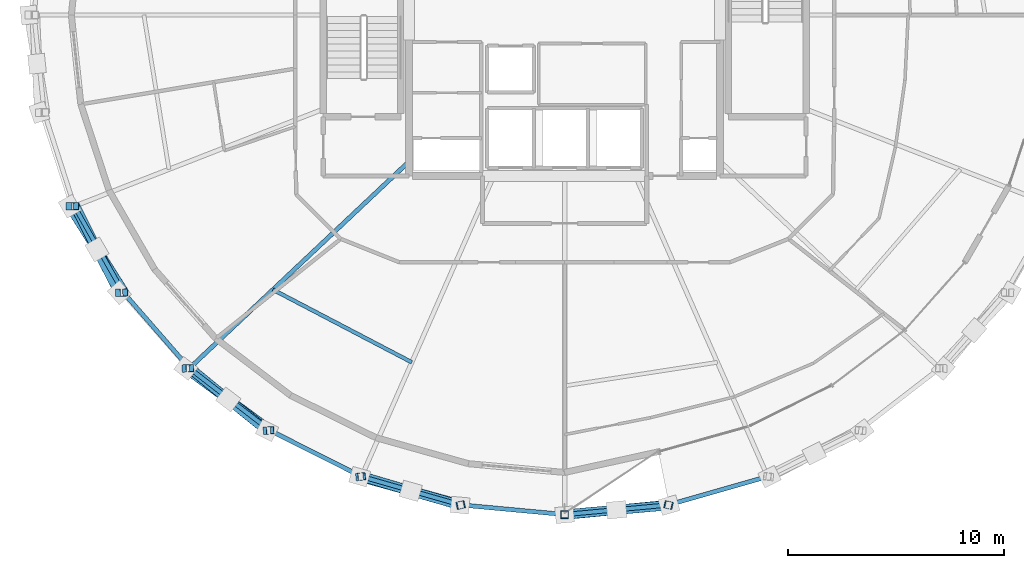
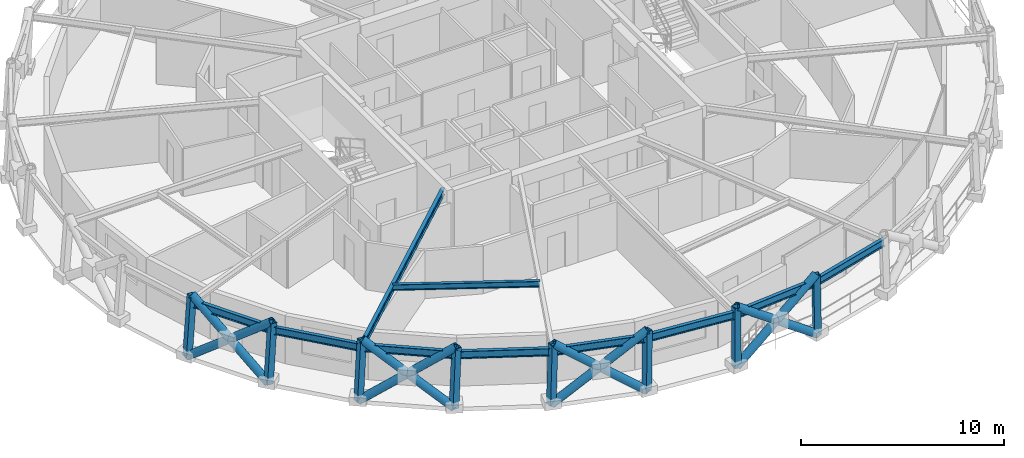
# One storey, part 1 of 17: 20 members, 10 beams.
"""IFC4 building model written with IfcOpenShell, lengths in metres."""

from ifc_helpers import new_model, si_unit, direction, frame, origin, origin_2d, place, context, subcontext, project, spatial, hollow_rectangle, hollow_circle, i_section, extrude, material, material_profile, profile_set, type_object, element, save


model = new_model("IFC4")

# Units and contexts
model_context = context("Model", 3, precision=1e-05, world=origin(), true_north=direction((0.0, 1.0)))
body_context = subcontext(model_context, "Body", "Model", "MODEL_VIEW")
ifc_project = project(units=[si_unit("LENGTHUNIT", "METRE"), si_unit("AREAUNIT", "SQUARE_METRE"), si_unit("VOLUMEUNIT", "CUBIC_METRE"), si_unit("PLANEANGLEUNIT", "RADIAN"), si_unit("MASSUNIT", "GRAM", prefix="KILO")], contexts=[model_context])

# Site, building, storey
site_placement = place(None, origin())
site = spatial("IfcSite", under=ifc_project, at=site_placement, CompositionType="ELEMENT")
building_placement = place(site_placement, origin())
building = spatial("IfcBuilding", under=site, at=building_placement, Name="Veldorina Hangang Commons", CompositionType="ELEMENT")
storey_placement = place(building_placement, frame((0.0, 0.0, 225.60009765625)))
storey = spatial("IfcBuildingStorey", under=building, at=storey_placement, Name="L58", CompositionType="ELEMENT", Elevation=225.60009765625)

# Beams
ifc_material = material(Name="Steel SM355-TMC", Category="steel")
ifc_material_profile_1 = material_profile(ifc_material, i_section(OverallWidth=0.199951171875, OverallDepth=0.39990234375, WebThickness=0.008056640625, FlangeThickness=0.012939453125, FilletRadius=0.012939453125, at=origin_2d()), Name="H-400x200x8x13")
ifc_profile_set_1 = profile_set([ifc_material_profile_1], Name="Steel SM355-TMC")
beam_type_1 = type_object("IfcBeamType", Name="BM-FG400", PredefinedType="BEAM", material=ifc_profile_set_1)
beam_1_placement = place(storey_placement, frame((24.800048828125, 17.220947265625, 3.159912109375), z_axis=(-0.728077889465, -0.685494410533, 0.0), x_axis=(0.685494410533, -0.728077889465, 0.0)))
element("IfcBeam", 1, at=beam_1_placement, inside=storey, type_object=beam_type_1, Name="L58 radial floor girder 11", PredefinedType="BEAM", context=body_context, shape_type="SweptSolid", body=[
    extrude(i_section(OverallWidth=0.199951171875, OverallDepth=0.39990234375, WebThickness=0.008056640625, FlangeThickness=0.012939453125, FilletRadius=0.012939453125, at=origin_2d()), origin(), (0.0, 0.0, 1.0), 13.971923828125),
])
ifc_material_profile_2 = material_profile(ifc_material, i_section(OverallWidth=0.175048828125, OverallDepth=0.35009765625, WebThickness=0.007080078125, FlangeThickness=0.010986328125, FilletRadius=0.012939453125, at=origin_2d()), Name="H-350x175x7x11")
ifc_profile_set_2 = profile_set([ifc_material_profile_2], Name="Steel SM355-TMC")
beam_type_2 = type_object("IfcBeamType", Name="BM-JST350", PredefinedType="JOIST", material=ifc_profile_set_2)
beam_2_placement = place(storey_placement, frame((18.4931640625, 11.28271484375, 3.184814453125), z_axis=(0.886139438515, -0.463418704314, 0.0), x_axis=(0.463418704314, 0.886139438515, 0.0)))
element("IfcBeam", 2, at=beam_2_placement, inside=storey, type_object=beam_type_2, Name="L58 secondary floor joist 11", PredefinedType="JOIST", context=body_context, shape_type="SweptSolid", body=[
    extrude(i_section(OverallWidth=0.175048828125, OverallDepth=0.35009765625, WebThickness=0.007080078125, FlangeThickness=0.010986328125, FilletRadius=0.012939453125, at=origin_2d()), origin(), (0.0, 0.0, 1.0), 7.258544921875),
])
ifc_material_profile_3 = material_profile(ifc_material, i_section(OverallWidth=0.199951171875, OverallDepth=0.449951171875, WebThickness=0.009033203125, FlangeThickness=0.013916015625, FilletRadius=0.01611328125, at=origin_2d()), Name="H-450x200x9x14")
ifc_profile_set_3 = profile_set([ifc_material_profile_3], Name="Steel SM355-TMC")
beam_type_3 = type_object("IfcBeamType", Name="BM-RB450", PredefinedType="BEAM", material=ifc_profile_set_3)
beam_3_placement = place(storey_placement, frame((9.3017578125, 15.147705078125, 3.135009765625), z_axis=(0.493695595954, -0.869634784571, 0.0), x_axis=(0.869634784571, 0.493695595954, 0.0)))
element("IfcBeam", 3, at=beam_3_placement, inside=storey, type_object=beam_type_3, Name="L58 perimeter hoop ring beam 18", PredefinedType="BEAM", context=body_context, shape_type="SweptSolid", body=[
    extrude(i_section(OverallWidth=0.199951171875, OverallDepth=0.449951171875, WebThickness=0.009033203125, FlangeThickness=0.013916015625, FilletRadius=0.01611328125, at=origin_2d()), origin(), (0.0, 0.0, 1.0), 4.598388671875),
])
beam_4_placement = place(storey_placement, frame((11.572021484375, 11.148681640625, 3.135009765625), z_axis=(0.657068652879, -0.753830740554, 0.0), x_axis=(0.753830740554, 0.657068652879, 0.0)))
element("IfcBeam", 4, at=beam_4_placement, inside=storey, type_object=beam_type_3, Name="L58 perimeter hoop ring beam 19", PredefinedType="BEAM", context=body_context, shape_type="SweptSolid", body=[
    extrude(i_section(OverallWidth=0.199951171875, OverallDepth=0.449951171875, WebThickness=0.009033203125, FlangeThickness=0.013916015625, FilletRadius=0.01611328125, at=origin_2d()), origin(), (0.0, 0.0, 1.0), 4.650146484375),
])
beam_5_placement = place(storey_placement, frame((14.62744140625, 7.643310546875, 3.135009765625), z_axis=(0.791312388502, -0.611412057293, 0.0), x_axis=(0.611412057293, 0.791312388502, 0.0)))
element("IfcBeam", 5, at=beam_5_placement, inside=storey, type_object=beam_type_3, Name="L58 perimeter hoop ring beam 20", PredefinedType="BEAM", context=body_context, shape_type="SweptSolid", body=[
    extrude(i_section(OverallWidth=0.199951171875, OverallDepth=0.449951171875, WebThickness=0.009033203125, FlangeThickness=0.013916015625, FilletRadius=0.01611328125, at=origin_2d()), origin(), (0.0, 0.0, 1.0), 4.705078125),
])
beam_6_placement = place(storey_placement, frame((18.3505859375, 4.7666015625, 3.135009765625), z_axis=(0.893243145292, -0.449573890911, 0.0), x_axis=(0.449573890911, 0.893243145292, 0.0)))
element("IfcBeam", 6, at=beam_6_placement, inside=storey, type_object=beam_type_3, Name="L58 perimeter hoop ring beam 21", PredefinedType="BEAM", context=body_context, shape_type="SweptSolid", body=[
    extrude(i_section(OverallWidth=0.199951171875, OverallDepth=0.449951171875, WebThickness=0.009033203125, FlangeThickness=0.013916015625, FilletRadius=0.01611328125, at=origin_2d()), origin(), (0.0, 0.0, 1.0), 4.7548828125),
])
beam_7_placement = place(storey_placement, frame((22.597900390625, 2.62890625, 3.135009765625), z_axis=(0.961550850658, -0.274626949878, 0.0), x_axis=(0.274626949878, 0.961550850658, 0.0)))
element("IfcBeam", 7, at=beam_7_placement, inside=storey, type_object=beam_type_3, Name="L58 perimeter hoop ring beam 22", PredefinedType="BEAM", context=body_context, shape_type="SweptSolid", body=[
    extrude(i_section(OverallWidth=0.199951171875, OverallDepth=0.449951171875, WebThickness=0.009033203125, FlangeThickness=0.013916015625, FilletRadius=0.01611328125, at=origin_2d()), origin(), (0.0, 0.0, 1.0), 4.79345703125),
])
for number, where, z_axis, x_axis, name in (
    (8, (27.20703125, 1.3125, 3.135009765625), (0.995730320333, -0.09230996246, 0.0), (0.09230996246, 0.995730320333, 0.0), "L58 perimeter hoop ring beam 23"),
    (9, (32.0, 0.8681640625, 3.135009765625), (0.995730320333, 0.09230996246, 0.0), (-0.09230996246, 0.995730320333, 0.0), "L58 perimeter hoop ring beam 24"),
):
    element("IfcBeam", number, at=place(storey_placement, frame(where, z_axis=z_axis, x_axis=x_axis)), inside=storey, type_object=beam_type_3, Name=name, PredefinedType="BEAM", context=body_context, shape_type="SweptSolid", body=[
        extrude(i_section(OverallWidth=0.199951171875, OverallDepth=0.449951171875, WebThickness=0.009033203125, FlangeThickness=0.013916015625, FilletRadius=0.01611328125, at=origin_2d()), origin(), (0.0, 0.0, 1.0), 4.8134765625),
    ])
beam_8_placement = place(storey_placement, frame((36.79296875, 1.3125, 3.135009765625), z_axis=(0.961550850658, 0.274626949878, 0.0), x_axis=(-0.274626949878, 0.961550850658, 0.0)))
element("IfcBeam", 10, at=beam_8_placement, inside=storey, type_object=beam_type_3, Name="L58 perimeter hoop ring beam 25", PredefinedType="BEAM", context=body_context, shape_type="SweptSolid", body=[
    extrude(i_section(OverallWidth=0.199951171875, OverallDepth=0.449951171875, WebThickness=0.009033203125, FlangeThickness=0.013916015625, FilletRadius=0.01611328125, at=origin_2d()), origin(), (0.0, 0.0, 1.0), 4.79345703125),
])

# Members
ifc_material_profile_4 = material_profile(ifc_material, hollow_circle(Radius=0.22509765625, WallThickness=0.02197265625, at=origin_2d()), Name="CHS-450x22")
ifc_profile_set_4 = profile_set([ifc_material_profile_4], Name="Steel SM355-TMC")
member_type_1 = type_object("IfcMemberType", Name="DG-CHS450", PredefinedType="BRACE", material=ifc_profile_set_4)
member_1_placement = place(storey_placement, frame((9.087158203125, 15.143798828125, 0.0), z_axis=(0.423449488736, -0.67295357797, 0.606484964683), x_axis=(0.846381395908, 0.532577255111, 0.0)))
element("IfcMember", 11, at=member_1_placement, inside=storey, type_object=member_type_1, Name="L58 continuous perimeter diagrid brace 18", PredefinedType="BRACE", context=body_context, shape_type="SweptSolid", body=[
    extrude(hollow_circle(Radius=0.22509765625, WallThickness=0.02197265625, at=origin_2d()), origin(), (0.0, 0.0, 1.0), 5.935546875),
])
member_2_placement = place(storey_placement, frame((11.379150390625, 11.142822265625, 0.0), z_axis=(-0.358211437065, 0.693653763409, 0.624923213575), x_axis=(-0.888518003661, -0.458841756131, 0.0)))
element("IfcMember", 12, at=member_2_placement, inside=storey, type_object=member_type_1, Name="L58 split perimeter diagrid lower brace 19", PredefinedType="BRACE", context=body_context, shape_type="SweptSolid", body=[
    extrude(hollow_circle(Radius=0.22509765625, WallThickness=0.02197265625, at=origin_2d()), origin(), (0.0, 0.0, 1.0), 2.88427734375),
])
member_3_placement = place(storey_placement, frame((10.345947265625, 13.1435546875, 1.802490234375), z_axis=(-0.351954682425, 0.696950048727, 0.624810796241), x_axis=(-0.892637418917, -0.450775374604, 0.0)))
element("IfcMember", 13, at=member_3_placement, inside=storey, type_object=member_type_1, Name="L58 split perimeter diagrid upper brace 19", PredefinedType="BRACE", context=body_context, shape_type="SweptSolid", body=[
    extrude(hollow_circle(Radius=0.22509765625, WallThickness=0.02197265625, at=origin_2d()), origin(), (0.0, 0.0, 1.0), 2.876708984375),
])
member_4_placement = place(storey_placement, frame((14.46337890625, 7.635986328125, 0.0), z_axis=(0.647062785432, -0.475105850204, 0.5963087982), x_axis=(0.591844045149, 0.806052495947, 0.0)))
element("IfcMember", 14, at=member_4_placement, inside=storey, type_object=member_type_1, Name="L58 continuous perimeter diagrid brace 20", PredefinedType="BRACE", context=body_context, shape_type="SweptSolid", body=[
    extrude(hollow_circle(Radius=0.22509765625, WallThickness=0.02197265625, at=origin_2d()), origin(), (0.0, 0.0, 1.0), 6.036865234375),
])
member_5_placement = place(storey_placement, frame((18.221435546875, 4.7578125, 0.0), z_axis=(-0.614337626205, 0.491720340323, 0.617090259153), x_axis=(-0.624888936609, -0.780713658715, 0.0)))
element("IfcMember", 15, at=member_5_placement, inside=storey, type_object=member_type_1, Name="L58 split perimeter diagrid lower brace 21", PredefinedType="BRACE", context=body_context, shape_type="SweptSolid", body=[
    extrude(hollow_circle(Radius=0.22509765625, WallThickness=0.02197265625, at=origin_2d()), origin(), (0.0, 0.0, 1.0), 2.927001953125),
])
member_6_placement = place(storey_placement, frame((16.42333984375, 6.197021484375, 1.80615234375), z_axis=(-0.609405596795, 0.497871606643, 0.617048362686), x_axis=(-0.632679684757, -0.774413595242, 0.0)))
element("IfcMember", 16, at=member_6_placement, inside=storey, type_object=member_type_1, Name="L58 split perimeter diagrid upper brace 21", PredefinedType="BRACE", context=body_context, shape_type="SweptSolid", body=[
    extrude(hollow_circle(Radius=0.22509765625, WallThickness=0.02197265625, at=origin_2d()), origin(), (0.0, 0.0, 1.0), 2.906982421875),
])
member_7_placement = place(storey_placement, frame((22.50927734375, 2.619140625, 0.0), z_axis=(0.775565769493, -0.215133065439, 0.593477464901), x_axis=(0.267295649308, 0.963614568103, 0.0)))
element("IfcMember", 17, at=member_7_placement, inside=storey, type_object=member_type_1, Name="L58 continuous perimeter diagrid brace 22", PredefinedType="BRACE", context=body_context, shape_type="SweptSolid", body=[
    extrude(hollow_circle(Radius=0.22509765625, WallThickness=0.02197265625, at=origin_2d()), origin(), (0.0, 0.0, 1.0), 6.065673828125),
])
member_8_placement = place(storey_placement, frame((27.16162109375, 1.30224609375, 0.0), z_axis=(-0.765099077266, 0.221048575828, 0.604781720203), x_axis=(-0.277562777708, -0.960707502017, 0.0)))
element("IfcMember", 18, at=member_8_placement, inside=storey, type_object=member_type_1, Name="L58 split perimeter diagrid lower brace 23", PredefinedType="BRACE", context=body_context, shape_type="SweptSolid", body=[
    extrude(hollow_circle(Radius=0.22509765625, WallThickness=0.02197265625, at=origin_2d()), origin(), (0.0, 0.0, 1.0), 2.990966796875),
])
member_9_placement = place(storey_placement, frame((24.873291015625, 1.96337890625, 1.808837890625), z_axis=(-0.763884492069, 0.225224739082, 0.60477623935), x_axis=(-0.282805158285, -0.95917737799, 0.0)))
element("IfcMember", 19, at=member_9_placement, inside=storey, type_object=member_type_1, Name="L58 split perimeter diagrid upper brace 23", PredefinedType="BRACE", context=body_context, shape_type="SweptSolid", body=[
    extrude(hollow_circle(Radius=0.22509765625, WallThickness=0.02197265625, at=origin_2d()), origin(), (0.0, 0.0, 1.0), 2.96142578125),
])
member_10_placement = place(storey_placement, frame((32.0, 0.857666015625, 0.0), z_axis=(0.796880147915, 0.076009481081, 0.599336790666), x_axis=(-0.094952864528, 0.995481769556, 0.0)))
element("IfcMember", 20, at=member_10_placement, inside=storey, type_object=member_type_1, Name="L58 continuous perimeter diagrid brace 24", PredefinedType="BRACE", context=body_context, shape_type="SweptSolid", body=[
    extrude(hollow_circle(Radius=0.22509765625, WallThickness=0.02197265625, at=origin_2d()), origin(), (0.0, 0.0, 1.0), 6.00634765625),
])
member_11_placement = place(storey_placement, frame((36.83837890625, 1.30224609375, 0.0), z_axis=(-0.80031125379, -0.07076926775, 0.595393657843), x_axis=(0.088083472687, -0.996113096912, 0.0)))
element("IfcMember", 21, at=member_11_placement, inside=storey, type_object=member_type_1, Name="L58 split perimeter diagrid lower brace 25", PredefinedType="BRACE", context=body_context, shape_type="SweptSolid", body=[
    extrude(hollow_circle(Radius=0.22509765625, WallThickness=0.02197265625, at=origin_2d()), origin(), (0.0, 0.0, 1.0), 3.039306640625),
])
member_12_placement = place(storey_placement, frame((34.406005859375, 1.087158203125, 1.8095703125), z_axis=(-0.800168239914, -0.072343977855, 0.595396621338), x_axis=(0.090043692954, -0.99593781601, 0.0)))
element("IfcMember", 22, at=member_12_placement, inside=storey, type_object=member_type_1, Name="L58 split perimeter diagrid upper brace 25", PredefinedType="BRACE", context=body_context, shape_type="SweptSolid", body=[
    extrude(hollow_circle(Radius=0.22509765625, WallThickness=0.02197265625, at=origin_2d()), origin(), (0.0, 0.0, 1.0), 3.0068359375),
])
ifc_material_profile_5 = material_profile(ifc_material, hollow_rectangle(XDim=0.35009765625, YDim=0.35009765625, WallThickness=0.01611328125, at=origin_2d()), Name="SHS-350x350x16")
ifc_profile_set_5 = profile_set([ifc_material_profile_5], Name="Steel SM355-TMC")
member_type_2 = type_object("IfcMemberType", Name="STR-SHS350", PredefinedType="STRUT", material=ifc_profile_set_5)
member_13_placement = place(storey_placement, frame((9.087158203125, 15.143798828125, 0.0), z_axis=(0.068270263131, 0.001285564915, 0.997666035552), x_axis=(-0.018827187615, 0.999822752795, 0.0)))
element("IfcMember", 23, at=member_13_placement, inside=storey, type_object=member_type_2, Name="L58 perimeter ring node post 18", PredefinedType="STRUT", context=body_context, shape_type="SweptSolid", body=[
    extrude(hollow_rectangle(XDim=0.35009765625, YDim=0.35009765625, WallThickness=0.01611328125, at=origin_2d()), origin(), (0.0, 0.0, 1.0), 3.608154296875),
])
member_14_placement = place(storey_placement, frame((11.379150390625, 11.142822265625, 0.0), z_axis=(0.061396229325, 0.001827671656, 0.998111798668), x_axis=(-0.029755286398, 0.999557213436, 0.0)))
element("IfcMember", 24, at=member_14_placement, inside=storey, type_object=member_type_2, Name="L58 perimeter ring node post 19", PredefinedType="STRUT", context=body_context, shape_type="SweptSolid", body=[
    extrude(hollow_rectangle(XDim=0.35009765625, YDim=0.35009765625, WallThickness=0.01611328125, at=origin_2d()), origin(), (0.0, 0.0, 1.0), 3.606689453125),
])
member_15_placement = place(storey_placement, frame((14.46337890625, 7.635986328125, 0.0), z_axis=(0.052284978824, 0.002302706321, 0.9986295502), x_axis=(-0.043998800326, 0.99903158387, 0.0)))
element("IfcMember", 25, at=member_15_placement, inside=storey, type_object=member_type_2, Name="L58 perimeter ring node post 20", PredefinedType="STRUT", context=body_context, shape_type="SweptSolid", body=[
    extrude(hollow_rectangle(XDim=0.35009765625, YDim=0.35009765625, WallThickness=0.01611328125, at=origin_2d()), origin(), (0.0, 0.0, 1.0), 3.604736328125),
])
member_16_placement = place(storey_placement, frame((18.221435546875, 4.7578125, 0.0), z_axis=(0.041131500621, 0.002778239745, 0.999149879168), x_axis=(-0.067391746744, 0.997726592044, 0.0)))
element("IfcMember", 26, at=member_16_placement, inside=storey, type_object=member_type_2, Name="L58 perimeter ring node post 21", PredefinedType="STRUT", context=body_context, shape_type="SweptSolid", body=[
    extrude(hollow_rectangle(XDim=0.35009765625, YDim=0.35009765625, WallThickness=0.01611328125, at=origin_2d()), origin(), (0.0, 0.0, 1.0), 3.60302734375),
])
member_17_placement = place(storey_placement, frame((22.50927734375, 2.619140625, 0.0), z_axis=(0.028269332956, 0.003118439607, 0.999595478255), x_axis=(-0.109646640294, 0.993970630488, 0.0)))
element("IfcMember", 27, at=member_17_placement, inside=storey, type_object=member_type_2, Name="L58 perimeter ring node post 22", PredefinedType="STRUT", context=body_context, shape_type="SweptSolid", body=[
    extrude(hollow_rectangle(XDim=0.35009765625, YDim=0.35009765625, WallThickness=0.01611328125, at=origin_2d()), origin(), (0.0, 0.0, 1.0), 3.601318359375),
])
member_18_placement = place(storey_placement, frame((27.16162109375, 1.30224609375, 0.0), z_axis=(0.014443988056, 0.003322795374, 0.999890159087), x_axis=(-0.224191147248, 0.9745451911, 0.0)))
element("IfcMember", 28, at=member_18_placement, inside=storey, type_object=member_type_2, Name="L58 perimeter ring node post 23", PredefinedType="STRUT", context=body_context, shape_type="SweptSolid", body=[
    extrude(hollow_rectangle(XDim=0.35009765625, YDim=0.35009765625, WallThickness=0.01611328125, at=origin_2d()), origin(), (0.0, 0.0, 1.0), 3.600341796875),
])
member_19_placement = place(storey_placement, frame((32.0, 0.857666015625, 0.0), z_axis=(0.0, 0.003323142044, 0.999994478348), x_axis=(-1.0, 0.0, 0.0)))
element("IfcMember", 29, at=member_19_placement, inside=storey, type_object=member_type_2, Name="L58 perimeter ring node post 24", PredefinedType="STRUT", context=body_context, shape_type="SweptSolid", body=[
    extrude(hollow_rectangle(XDim=0.35009765625, YDim=0.35009765625, WallThickness=0.01611328125, at=origin_2d()), origin(), (0.0, 0.0, 1.0), 3.599853515625),
])
member_20_placement = place(storey_placement, frame((36.83837890625, 1.30224609375, 0.0), z_axis=(-0.014443988056, 0.003322795374, 0.999890159087), x_axis=(-0.224191147248, -0.9745451911, 0.0)))
element("IfcMember", 30, at=member_20_placement, inside=storey, type_object=member_type_2, Name="L58 perimeter ring node post 25", PredefinedType="STRUT", context=body_context, shape_type="SweptSolid", body=[
    extrude(hollow_rectangle(XDim=0.35009765625, YDim=0.35009765625, WallThickness=0.01611328125, at=origin_2d()), origin(), (0.0, 0.0, 1.0), 3.600341796875),
])

save(model, "model.ifc")
